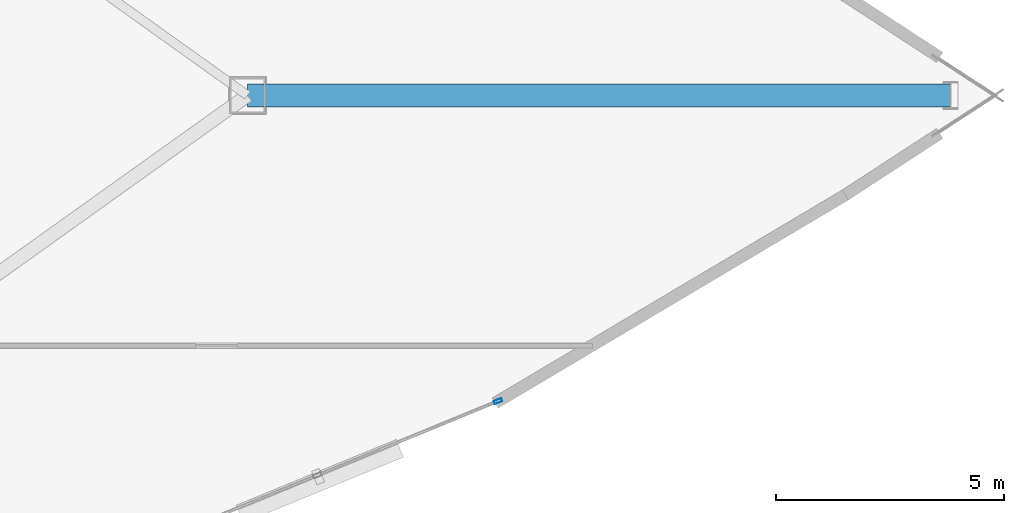
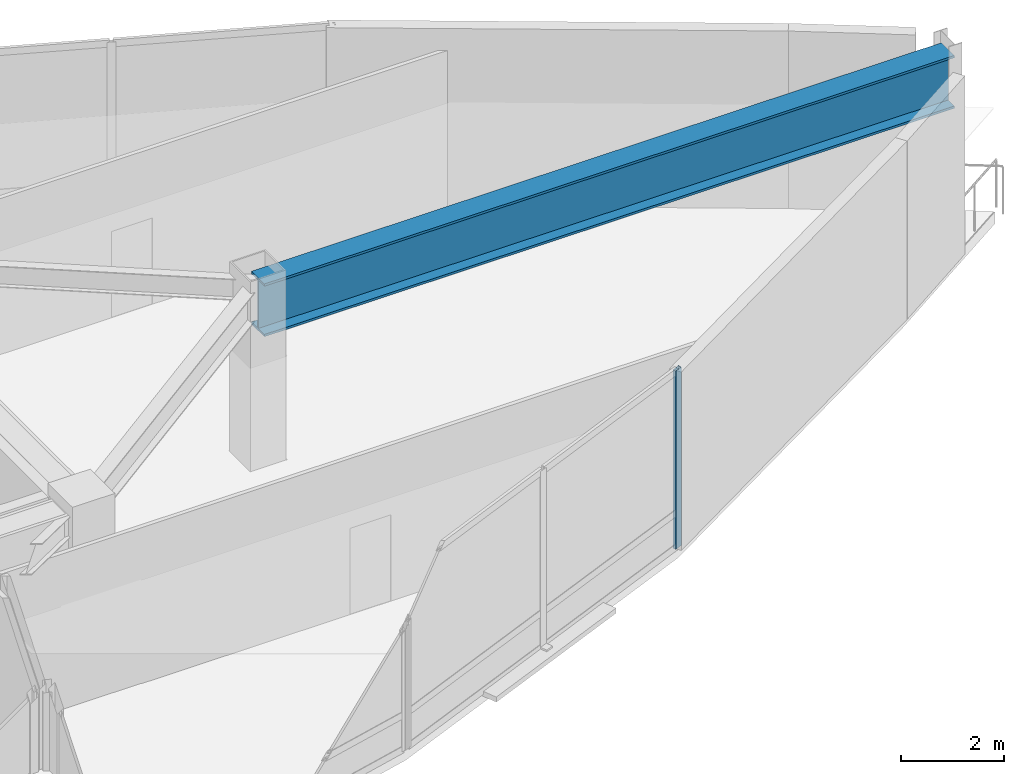
# One storey, part 11 of 17: 1 beam, 1 member, 1 element without a shape of its own.
"""IFC4 building model written with IfcOpenShell, lengths in metres."""

from ifc_helpers import new_model, si_unit, direction, frame, origin, origin_2d, place, context, subcontext, project, spatial, hollow_rectangle, i_section, extrude, material, layer, layer_set, material_profile, profile_set, type_object, element, aggregate, save


model = new_model("IFC4")

# Units and contexts
model_context = context("Model", 3, precision=1e-05, world=origin(), true_north=direction((0.0, 1.0)))
body_context = subcontext(model_context, "Body", "Model", "MODEL_VIEW")
ifc_project = project(units=[si_unit("LENGTHUNIT", "METRE"), si_unit("AREAUNIT", "SQUARE_METRE"), si_unit("VOLUMEUNIT", "CUBIC_METRE"), si_unit("PLANEANGLEUNIT", "RADIAN"), si_unit("MASSUNIT", "GRAM", prefix="KILO")], contexts=[model_context])

# Site, building, storey
site_placement = place(None, origin())
site = spatial("IfcSite", under=ifc_project, at=site_placement, CompositionType="ELEMENT")
building_placement = place(site_placement, origin())
building = spatial("IfcBuilding", under=site, at=building_placement, Name="Menara Vayukalpa", CompositionType="ELEMENT")
storey_placement = place(building_placement, frame((0.0, 0.0, 238.139892578125)))
storey = spatial("IfcBuildingStorey", under=building, at=storey_placement, Name="L60", CompositionType="ELEMENT", Elevation=238.139892578125)

# Beam
ifc_material_1 = material(Name="Steel S460", Category="steel")
ifc_material_profile_1 = material_profile(ifc_material_1, i_section(OverallWidth=0.5, OverallDepth=1.25, WebThickness=0.028076171875, FlangeThickness=0.054931640625, at=origin_2d()), Name="WG 1250x500x28x55")
ifc_profile_set_1 = profile_set([ifc_material_profile_1], Name="Steel S460")
beam_type = type_object("IfcBeamType", Name="BM-TG2", PredefinedType="BEAM", material=ifc_profile_set_1)
beam_placement = place(storey_placement, frame((40.121826171875, 22.0, 3.59521484375), z_axis=(1.0, 0.0, 0.0), x_axis=(0.0, 1.0, 0.0)))
element("IfcBeam", 1, at=beam_placement, inside=storey, type_object=beam_type, Name="L60 SB5 Sky Bar Vierendeel Girder 01", PredefinedType="BEAM", context=body_context, shape_type="SweptSolid", body=[
    extrude(i_section(OverallWidth=0.5, OverallDepth=1.25, WebThickness=0.028076171875, FlangeThickness=0.054931640625, at=origin_2d()), origin(), (0.0, 0.0, 1.0), 15.44287109375),
])

# Curtain wall, member
ifc_material_2 = material(Name="Anodised Terracotta Aluminium Alloy 6063-T6", Category="masonry")
ifc_layer = layer(ifc_material_2, 0.179931640625)
ifc_layer_set = layer_set([ifc_layer], Name="Anodised Terracotta Aluminium Alloy 6063-T6")
curtain_wall_type = type_object("IfcCurtainWallType", Name="CW-CW4", PredefinedType="USERDEFINED", material=ifc_layer_set)
curtain_wall_placement = place(storey_placement, origin())
curtain_wall = element("IfcCurtainWall", 2, at=curtain_wall_placement, inside=storey, type_object=curtain_wall_type, Name="L60 Sky Bar Cantilever Glazed Curtain Wall CW4 17", ObjectType="UNITISED", PredefinedType="USERDEFINED")
ifc_material_3 = material(Name="Anodised Terracotta Aluminium Alloy 6063-T6", Category="masonry")
ifc_material_profile_2 = material_profile(ifc_material_3, hollow_rectangle(XDim=0.074951171875, YDim=0.179931640625, WallThickness=0.00390625, at=origin_2d()), Name="ALU 75x180x4")
ifc_profile_set_2 = profile_set([ifc_material_profile_2], Name="Anodised Terracotta Aluminium Alloy 6063-T6")
member_type = type_object("IfcMemberType", Name="CWM-CW4", PredefinedType="MULLION", material=ifc_profile_set_2)
member_placement = place(storey_placement, frame((45.625732421875, 15.282470703125, 0.0), z_axis=(0.0, 0.0, 1.0), x_axis=(-0.380039448491, 0.924970279301, 0.0)))
member = element("IfcMember", 3, at=member_placement, type_object=member_type, Name="CW4 mullion 3", PredefinedType="MULLION", context=body_context, shape_type="SweptSolid", body=[
    extrude(hollow_rectangle(XDim=0.074951171875, YDim=0.179931640625, WallThickness=0.00390625, at=origin_2d()), origin(), (0.0, 0.0, 1.0), 4.22021484375),
])
aggregate(curtain_wall, [member])

save(model, "model.ifc")
